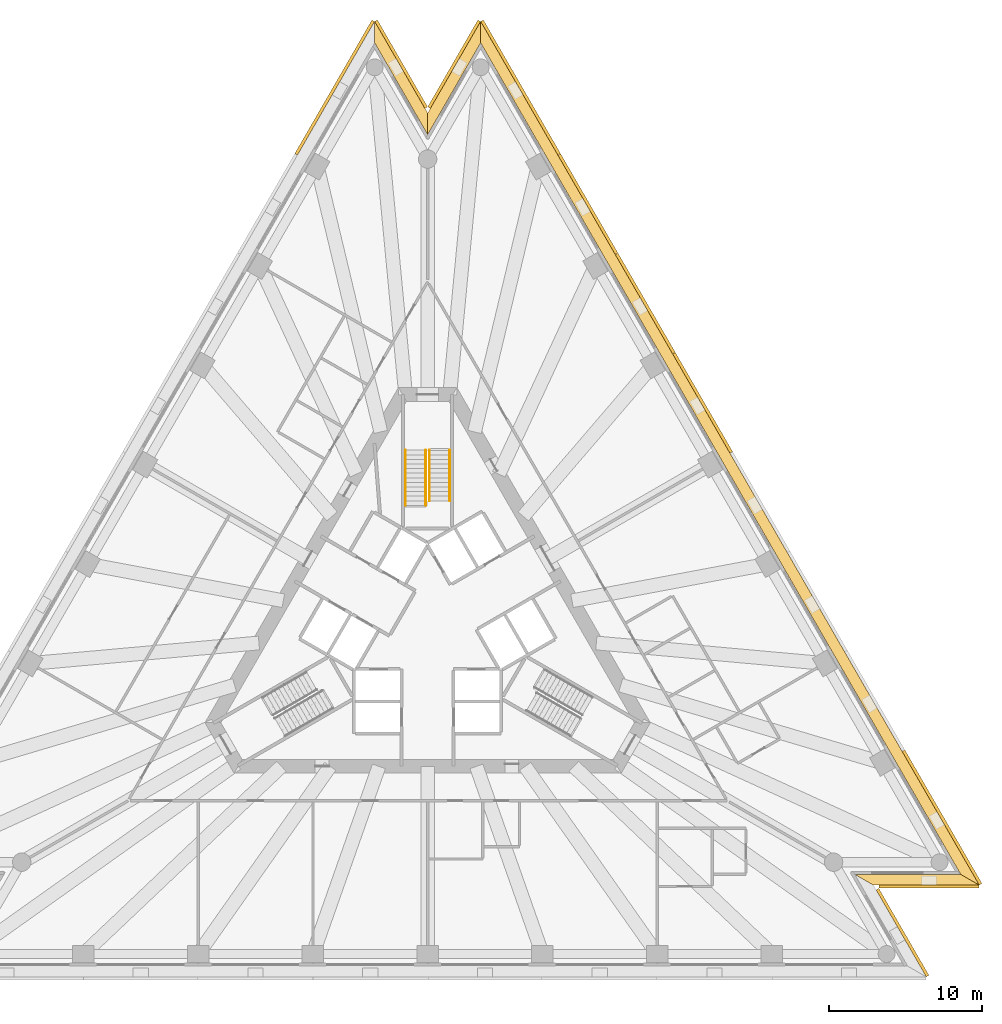
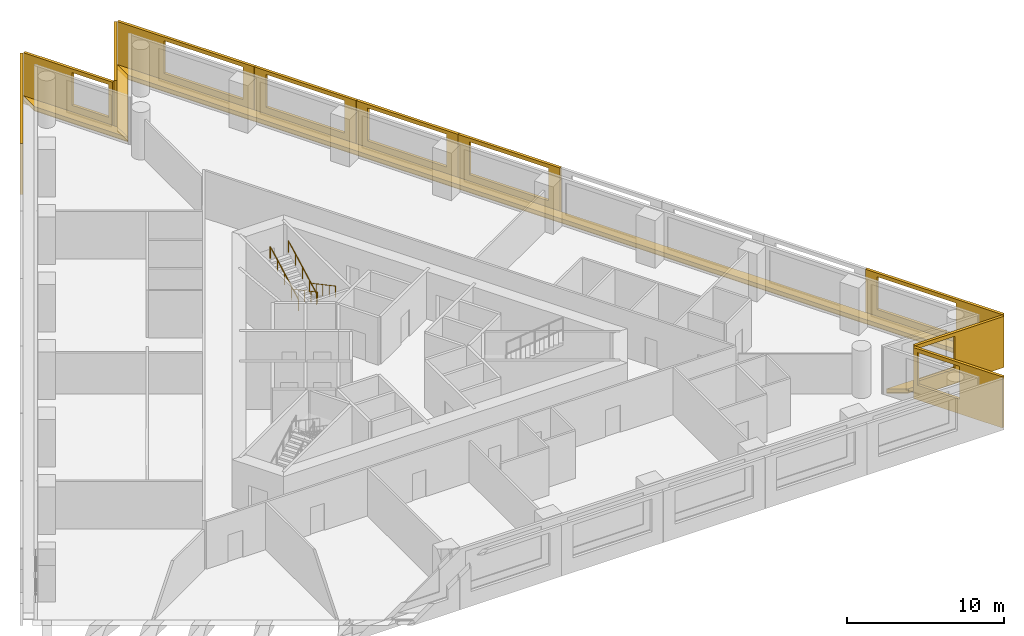
# One storey, part 9 of 9: 14 shading devices, 4 coverings, 4 railings, 1 element without a shape of its own.
"""IFC4 building model written with IfcOpenShell, lengths in metres."""

import ifcopenshell
import ifcopenshell.guid

model = None  # the IFC model being written
_history = None  # IfcOwnerHistory: only IFC2X3 demands one
_inside = {}  # id of a spatial element -> (the spatial element, [elements in it])
_under = {}  # id of a project, library or spatial element -> (it, [spatial elements below it])
_declared = {}  # id of a project -> (the project, [libraries it declares])
_typed = {}  # id of a type object -> (the type object, [elements of that type])
_made_of = {}  # id of a material, layer set ... -> (it, [elements and type objects made of it])


def new_model(schema):
    """Start an empty IFC model of exactly this schema.

    Asked for "IFC4X3", IfcOpenShell would pick the latest addendum, in which some entities
    have other attributes; the version numbers below select the first issue.
    IFC2X3 requires an IfcOwnerHistory on every rooted entity: one is made here for all.
    """
    global model, _history
    if schema == "IFC4X3":
        model = ifcopenshell.file(schema_version=(4, 3, 0, 0))
    else:
        model = ifcopenshell.file(schema=schema)
    _inside.clear()
    _under.clear()
    _declared.clear()
    _typed.clear()
    _made_of.clear()
    _history = None
    if model.schema == "IFC2X3":
        org = make("IfcOrganization", Name="unknown")
        user = make(
            "IfcPersonAndOrganization",
            ThePerson=make("IfcPerson", FamilyName="unknown"),
            TheOrganization=org,
        )
        app = make(
            "IfcApplication",
            ApplicationDeveloper=org,
            Version="unknown",
            ApplicationFullName="unknown",
            ApplicationIdentifier="unknown",
        )
        _history = make(
            "IfcOwnerHistory",
            OwningUser=user,
            OwningApplication=app,
            ChangeAction="ADDED",
            CreationDate=0,
        )
    return model


def make(cls, **values):
    """One entity of the class cls with the attributes given. An attribute that is None is left unset."""
    return model.create_entity(
        cls, **{name: value for name, value in values.items() if value is not None}
    )


def rooted(cls, **values):
    """An entity with a GlobalId (a new one), such as an element, a storey or a relation."""
    return make(cls, GlobalId=ifcopenshell.guid.new(), OwnerHistory=_history, **values)


def si_unit(unit_type, name, prefix=None):
    """IfcSIUnit, for example si_unit("LENGTHUNIT", "METRE", prefix="MILLI")."""
    return make("IfcSIUnit", UnitType=unit_type, Prefix=prefix, Name=name)


def assignment(units):
    """IfcUnitAssignment: the units of a project."""
    return None if units is None else make("IfcUnitAssignment", Units=units)


def point(xyz):
    """IfcCartesianPoint."""
    return None if xyz is None else make("IfcCartesianPoint", Coordinates=xyz)


def direction(xyz):
    """IfcDirection."""
    return None if xyz is None else make("IfcDirection", DirectionRatios=xyz)


def frame(location, z_axis=None, x_axis=None):
    """IfcAxis2Placement3D, a coordinate frame: its origin and axes. An axis left out is left unset."""
    return make(
        "IfcAxis2Placement3D",
        Location=point(location),
        Axis=direction(z_axis),
        RefDirection=direction(x_axis),
    )


def frame_2d(location, x_axis=None):
    """IfcAxis2Placement2D, a coordinate frame in the plane: its origin and x axis."""
    return make(
        "IfcAxis2Placement2D", Location=point(location), RefDirection=direction(x_axis)
    )


def origin():
    """The frame at (0, 0, 0) with its axes left unset."""
    return frame((0.0, 0.0, 0.0))


def origin_2d():
    """The frame at (0, 0) in the plane with its x axis left unset."""
    return frame_2d((0.0, 0.0))


def place(relative_to, where):
    """IfcLocalPlacement: puts the frame where relative to a parent placement (None: the world)."""
    return make(
        "IfcLocalPlacement", PlacementRelTo=relative_to, RelativePlacement=where
    )


def context(
    kind, dimensions, precision=None, world=None, true_north=None, identifier=None
):
    """IfcGeometricRepresentationContext, for example the 3D "Model" context."""
    return make(
        "IfcGeometricRepresentationContext",
        ContextIdentifier=identifier,
        ContextType=kind,
        CoordinateSpaceDimension=dimensions,
        Precision=precision,
        WorldCoordinateSystem=world,
        TrueNorth=true_north,
    )


def subcontext(parent, identifier, kind, view, scale=None):
    """IfcGeometricRepresentationSubContext, for example "Body" below "Model"."""
    return make(
        "IfcGeometricRepresentationSubContext",
        ContextIdentifier=identifier,
        ContextType=kind,
        ParentContext=parent,
        TargetScale=scale,
        TargetView=view,
    )


def project(units=None, contexts=None):
    """IfcProject with its units and contexts."""
    return rooted(
        "IfcProject",
        Name="project",
        RepresentationContexts=contexts,
        UnitsInContext=assignment(units),
    )


def spatial(cls, under=None, at=None, **own):
    """A site, building, storey or space (cls), placed at a placement, below another one or the project."""
    s = rooted(cls, ObjectPlacement=at, **own)
    if under is not None:
        _under.setdefault(under.id(), (under, []))[1].append(s)
    return s


def polyline(points):
    """IfcPolyline through the points."""
    return make("IfcPolyline", Points=[point(p) for p in points])


def profile(cls, at=None, kind="AREA", **sizes):
    """A parametric profile (cls). Its sizes go by their IFC names, for example OverallWidth=200.0."""
    return make(cls, ProfileType=kind, Position=at, **sizes)


def circle(**sizes):
    """IfcCircleProfileDef."""
    return profile("IfcCircleProfileDef", **sizes)


def outline(outer, holes=None, kind="AREA"):
    """IfcArbitraryClosedProfileDef: a profile drawn as a closed curve; with holes, ...WithVoids."""
    if holes is None:
        return make("IfcArbitraryClosedProfileDef", ProfileType=kind, OuterCurve=outer)
    return make(
        "IfcArbitraryProfileDefWithVoids",
        ProfileType=kind,
        OuterCurve=outer,
        InnerCurves=holes,
    )


def extrude(swept, where, along, depth):
    """IfcExtrudedAreaSolid: the profile swept, set in the frame where, extruded along a direction by depth."""
    return make(
        "IfcExtrudedAreaSolid",
        SweptArea=swept,
        Position=where,
        ExtrudedDirection=direction(along),
        Depth=depth,
    )


def shape(context_of_items, identifier, shape_type, items):
    """IfcShapeRepresentation: the items that make up one representation, for example the "Body"."""
    return make(
        "IfcShapeRepresentation",
        ContextOfItems=context_of_items,
        RepresentationIdentifier=identifier,
        RepresentationType=shape_type,
        Items=items,
    )


def material(Name=None, Category=None):
    """IfcMaterial."""
    return make("IfcMaterial", Name=Name, Category=Category)


def layer(
    of_material, thickness, ventilated=None, Name=None, Category=None, Priority=None
):
    """IfcMaterialLayer: one layer of a wall or slab, of a material (None: an air gap)."""
    return make(
        "IfcMaterialLayer",
        Material=of_material,
        LayerThickness=thickness,
        IsVentilated=ventilated,
        Name=Name,
        Category=Category,
        Priority=Priority,
    )


def layer_set(layers, Name=None):
    """IfcMaterialLayerSet."""
    return make("IfcMaterialLayerSet", MaterialLayers=layers, LayerSetName=Name)


def layer_usage(for_layer_set, set_direction, sense, offset, extent=None):
    """IfcMaterialLayerSetUsage: how a layer set lies in its element."""
    return make(
        "IfcMaterialLayerSetUsage",
        ForLayerSet=for_layer_set,
        LayerSetDirection=set_direction,
        DirectionSense=sense,
        OffsetFromReferenceLine=offset,
        ReferenceExtent=extent,
    )


def made_of(thing, what):
    """Note that an element or type object is made of a material, layer set ...; save() writes the relation."""
    if what is not None:
        _made_of.setdefault(what.id(), (what, []))[1].append(thing)
    return thing


def type_object(cls, material=None, **own):
    """A type object (cls), such as IfcWallType, which elements share."""
    return made_of(rooted(cls, **own), material)


def element(
    cls,
    number,
    at=None,
    inside=None,
    cuts=None,
    type_object=None,
    material=None,
    context=None,
    identifier="Body",
    shape_type=None,
    held_by="IfcProductDefinitionShape",
    body=None,
    shapes=None,
    **own,
):
    """One element of the class cls, such as IfcWall. Its Tag is "e" and its number.

    at: its placement. inside: the storey or other place that contains it. cuts: it is an
    opening in that element (IfcRelVoidsElement). A single representation is given by context,
    identifier, shape_type and body (its items); several are given by shapes. held_by: the class
    of the entity that holds the representations. save() writes the other relations.
    """
    e = rooted(cls, Tag="e%d" % number, ObjectPlacement=at, **own)
    if body is not None:
        shapes = [shape(context, identifier, shape_type, body)]
    if shapes is not None:
        e.Representation = make(held_by, Representations=shapes)
    if inside is not None:
        _inside.setdefault(inside.id(), (inside, []))[1].append(e)
    if cuts is not None:
        rooted(
            "IfcRelVoidsElement", RelatingBuildingElement=cuts, RelatedOpeningElement=e
        )
    if type_object is not None:
        _typed.setdefault(type_object.id(), (type_object, []))[1].append(e)
    return made_of(e, material)


def aggregate(whole, parts):
    """IfcRelAggregates: a whole, such as a stair, and the parts it consists of."""
    return rooted("IfcRelAggregates", RelatingObject=whole, RelatedObjects=parts)


def save(model, path):
    """Write the relations noted so far, then the file.

    IfcRelAggregates (storeys below a building ...), IfcRelContainedInSpatialStructure (elements
    in a storey), IfcRelDefinesByType, IfcRelAssociatesMaterial and IfcRelDeclares: one each for
    every whole, place, type object, material and project.
    """
    for whole, parts in _under.values():
        aggregate(whole, parts)
    for where, things in _inside.values():
        rooted(
            "IfcRelContainedInSpatialStructure",
            RelatedElements=things,
            RelatingStructure=where,
        )
    for kind, things in _typed.values():
        rooted("IfcRelDefinesByType", RelatedObjects=things, RelatingType=kind)
    for what, things in _made_of.values():
        rooted("IfcRelAssociatesMaterial", RelatedObjects=things, RelatingMaterial=what)
    for by, libraries in _declared.values():
        rooted("IfcRelDeclares", RelatingContext=by, RelatedDefinitions=libraries)
    model.write(path)


model = new_model("IFC4")

# Units and contexts
model_context = context("Model", 3, precision=1e-05, world=origin(), true_north=direction((0.0, 1.0)))
body_context = subcontext(model_context, "Body", "Model", "MODEL_VIEW")
ifc_project = project(units=[si_unit("LENGTHUNIT", "METRE"), si_unit("AREAUNIT", "SQUARE_METRE"), si_unit("VOLUMEUNIT", "CUBIC_METRE"), si_unit("PLANEANGLEUNIT", "RADIAN"), si_unit("MASSUNIT", "GRAM", prefix="KILO")], contexts=[model_context])

# Site, building, storey
site_placement = place(None, origin())
site = spatial("IfcSite", under=ifc_project, at=site_placement, CompositionType="ELEMENT")
building_placement = place(site_placement, origin())
building = spatial("IfcBuilding", under=site, at=building_placement, Name="Triada Interchange Tower", CompositionType="ELEMENT")
storey_placement = place(building_placement, frame((0.0, 0.0, 51.300048828125)))
storey = spatial("IfcBuildingStorey", under=building, at=storey_placement, Name="L10", CompositionType="ELEMENT", Elevation=51.300048828125)

# Coverings
ifc_material_1 = material(Name="Mineral fire-stop board")
ifc_layer_1 = layer(ifc_material_1, 0.0400390625, Name="Mineral fire-stop board")
ifc_material_2 = material(Name="Intumescent sealant")
ifc_layer_2 = layer(ifc_material_2, 0.010009765625, Name="Intumescent seal")
ifc_layer_set_1 = layer_set([ifc_layer_1, ifc_layer_2], Name="Cavity fire stop")
ifc_layer_usage = layer_usage(ifc_layer_set_1, "AXIS3", "POSITIVE", 0.0)
covering_type = type_object("IfcCoveringType", Name="Cavity fire stop", PredefinedType="INSULATION", material=ifc_layer_set_1)
covering_1_placement = place(storey_placement, origin())
element("IfcCovering", 1, at=covering_1_placement, inside=storey, type_object=covering_type, material=ifc_layer_usage, Name="Cavity fire stop L10 SE-2", PredefinedType="INSULATION", context=body_context, shape_type="SweptSolid", body=[
    extrude(outline(polyline([(27.905029296875, -16.111083984375), (29.116943359375, -16.81103515625), (36.041015625, -16.81103515625), (34.8291015625, -16.111083984375), (27.905029296875, -16.111083984375)])), origin(), (0.0, 0.0, 1.0), 0.050048828125),
])
covering_2_placement = place(storey_placement, origin())
element("IfcCovering", 2, at=covering_2_placement, inside=storey, type_object=covering_type, material=ifc_layer_usage, Name="Cavity fire stop L10 NE", PredefinedType="INSULATION", context=body_context, shape_type="SweptSolid", body=[
    extrude(outline(polyline([(34.8291015625, -16.111083984375), (36.041015625, -16.81103515625), (3.4619140625, 39.617919921875), (3.4619140625, 38.218017578125), (34.8291015625, -16.111083984375)])), origin(), (0.0, 0.0, 1.0), 0.050048828125),
])
covering_3_placement = place(storey_placement, origin())
element("IfcCovering", 3, at=covering_3_placement, inside=storey, type_object=covering_type, material=ifc_layer_usage, Name="Cavity fire stop L10 N-1", PredefinedType="INSULATION", context=body_context, shape_type="SweptSolid", body=[
    extrude(outline(polyline([(3.4619140625, 38.218017578125), (3.4619140625, 39.617919921875), (0.0, 33.6220703125), (0.0, 32.221923828125), (3.4619140625, 38.218017578125)])), origin(), (0.0, 0.0, 1.0), 0.050048828125),
])
covering_4_placement = place(storey_placement, origin())
element("IfcCovering", 4, at=covering_4_placement, inside=storey, type_object=covering_type, material=ifc_layer_usage, Name="Cavity fire stop L10 N-2", PredefinedType="INSULATION", context=body_context, shape_type="SweptSolid", body=[
    extrude(outline(polyline([(0.0, 32.221923828125), (0.0, 33.6220703125), (-3.4619140625, 39.617919921875), (-3.4619140625, 38.218017578125), (0.0, 32.221923828125)])), origin(), (0.0, 0.0, 1.0), 0.050048828125),
])

# Shading devices
ifc_material_3 = material(Name="Aluminium louvre", Category="aluminium")
shading_device_type_1 = type_object("IfcShadingDeviceType", Name="Cavity louvre grille", PredefinedType="JALOUSIE", material=ifc_material_3)
shading_device_1_placement = place(storey_placement, frame((0.0, 0.0, 0.050048828125)))
element("IfcShadingDevice", 5, at=shading_device_1_placement, inside=storey, type_object=shading_device_type_1, Name="Cavity louvre grille L10 SE-2", PredefinedType="JALOUSIE", context=body_context, shape_type="SweptSolid", body=[
    extrude(outline(polyline([(27.905029296875, -16.111083984375), (29.116943359375, -16.81103515625), (36.041015625, -16.81103515625), (34.8291015625, -16.111083984375), (27.905029296875, -16.111083984375)])), origin(), (0.0, 0.0, 1.0), 0.2998046875),
])
shading_device_2_placement = place(storey_placement, frame((0.0, 0.0, 0.050048828125)))
element("IfcShadingDevice", 6, at=shading_device_2_placement, inside=storey, type_object=shading_device_type_1, Name="Cavity louvre grille L10 NE", PredefinedType="JALOUSIE", context=body_context, shape_type="SweptSolid", body=[
    extrude(outline(polyline([(34.8291015625, -16.111083984375), (36.041015625, -16.81103515625), (3.4619140625, 39.617919921875), (3.4619140625, 38.218017578125), (34.8291015625, -16.111083984375)])), origin(), (0.0, 0.0, 1.0), 0.2998046875),
])
shading_device_3_placement = place(storey_placement, frame((0.0, 0.0, 0.050048828125)))
element("IfcShadingDevice", 7, at=shading_device_3_placement, inside=storey, type_object=shading_device_type_1, Name="Cavity louvre grille L10 N-1", PredefinedType="JALOUSIE", context=body_context, shape_type="SweptSolid", body=[
    extrude(outline(polyline([(3.4619140625, 38.218017578125), (3.4619140625, 39.617919921875), (0.0, 33.6220703125), (0.0, 32.221923828125), (3.4619140625, 38.218017578125)])), origin(), (0.0, 0.0, 1.0), 0.2998046875),
])
shading_device_4_placement = place(storey_placement, frame((0.0, 0.0, 0.050048828125)))
element("IfcShadingDevice", 8, at=shading_device_4_placement, inside=storey, type_object=shading_device_type_1, Name="Cavity louvre grille L10 N-2", PredefinedType="JALOUSIE", context=body_context, shape_type="SweptSolid", body=[
    extrude(outline(polyline([(0.0, 32.221923828125), (0.0, 33.6220703125), (-3.4619140625, 39.617919921875), (-3.4619140625, 38.218017578125), (0.0, 32.221923828125)])), origin(), (0.0, 0.0, 1.0), 0.2998046875),
])
ifc_material_4 = material(Name="Concrete C50/60 precast", Category="concrete")
ifc_layer_3 = layer(ifc_material_4, 0.02001953125, Name="Exposed aggregate face")
ifc_layer_4 = layer(ifc_material_4, 0.179931640625, Name="Precast concrete screen")
ifc_layer_set_2 = layer_set([ifc_layer_3, ifc_layer_4], Name="Outer skin screen panel 3980")
shading_device_type_2 = type_object("IfcShadingDeviceType", Name="Outer skin screen panel 3980", PredefinedType="SHUTTER", material=ifc_layer_set_2)
shading_device_5_placement = place(storey_placement, frame((-3.467041015625, 39.60888671875, -0.2900390625), z_axis=(0.0, 0.0, 1.0), x_axis=(-0.500051848164, -0.865995467164, 0.0)))
element("IfcShadingDevice", 9, at=shading_device_5_placement, inside=storey, type_object=shading_device_type_2, Name="Outer skin screen panel L10 01", PredefinedType="SHUTTER", context=body_context, shape_type="SweptSolid", body=[
    extrude(outline(polyline([(0.0, 0.0), (10.07275390625, 0.0), (10.07275390625, 3.97998046875), (0.0, 3.97998046875), (0.0, 0.0)]), holes=[polyline([(3.435546875, 1.139892578125), (3.435546875, 3.68994140625), (9.235595703125, 3.68994140625), (9.235595703125, 1.139892578125), (3.435546875, 1.139892578125)])]), frame((0.0, 0.0, 0.0), z_axis=(0.0, -1.0, 0.0), x_axis=(1.0, 0.0, 0.0)), (0.0, 0.0, 1.0), 0.199951171875),
])
shading_device_6_placement = place(storey_placement, frame((32.573974609375, -22.798095703125, -0.2900390625), z_axis=(0.0, 0.0, 1.0), x_axis=(-0.499987845338, 0.866032421168, 0.0)))
element("IfcShadingDevice", 10, at=shading_device_6_placement, inside=storey, type_object=shading_device_type_2, Name="Outer skin screen panel L10 19", PredefinedType="SHUTTER", context=body_context, shape_type="SweptSolid", body=[
    extrude(outline(polyline([(0.0, 0.0), (6.556396484375, 0.0), (6.556396484375, 3.97998046875), (0.0, 3.97998046875), (0.0, 0.0)]), holes=[polyline([(3.17529296875, 1.139892578125), (3.17529296875, 3.68994140625), (6.257080078125, 3.68994140625), (6.257080078125, 1.139892578125), (3.17529296875, 1.139892578125)])]), frame((0.0, 0.0, 0.0), z_axis=(0.0, -1.0, 0.0), x_axis=(1.0, 0.0, 0.0)), (0.0, 0.0, 1.0), 0.199951171875),
])
shading_device_7_placement = place(storey_placement, frame((29.47412109375, -16.81103515625, -0.2900390625), z_axis=(0.0, 0.0, 1.0), x_axis=(1.0, 0.0, 0.0)))
element("IfcShadingDevice", 11, at=shading_device_7_placement, inside=storey, type_object=shading_device_type_2, Name="Outer skin screen panel L10 20", PredefinedType="SHUTTER", context=body_context, shape_type="SweptSolid", body=[
    extrude(outline(polyline([(0.0, 0.0), (6.556884765625, 0.0), (6.556884765625, 3.97998046875), (0.0, 3.97998046875), (0.0, 0.0)]), holes=[polyline([(0.300048828125, 1.139892578125), (0.300048828125, 3.68994140625), (2.9580078125, 3.68994140625), (2.9580078125, 1.139892578125), (0.300048828125, 1.139892578125)])]), frame((0.0, 0.0, 0.0), z_axis=(0.0, -1.0, 0.0), x_axis=(1.0, 0.0, 0.0)), (0.0, 0.0, 1.0), 0.199951171875),
])
shading_device_8_placement = place(storey_placement, frame((36.035888671875, -16.802001953125, -0.2900390625), z_axis=(0.0, 0.0, 1.0), x_axis=(-0.499926661183, 0.86606774183, 0.0)))
element("IfcShadingDevice", 12, at=shading_device_8_placement, inside=storey, type_object=shading_device_type_2, Name="Outer skin screen panel L10 21", PredefinedType="SHUTTER", context=body_context, shape_type="SweptSolid", body=[
    extrude(outline(polyline([(0.0, 0.0), (10.0732421875, 0.0), (10.0732421875, 3.97998046875), (0.0, 3.97998046875), (0.0, 0.0)]), holes=[polyline([(3.435302734375, 1.139892578125), (3.435302734375, 3.68994140625), (9.2353515625, 3.68994140625), (9.2353515625, 1.139892578125), (3.435302734375, 1.139892578125)])]), frame((0.0, 0.0, 0.0), z_axis=(0.0, -1.0, 0.0), x_axis=(1.0, 0.0, 0.0)), (0.0, 0.0, 1.0), 0.199951171875),
])
shading_device_9_placement = place(storey_placement, frame((19.7470703125, 11.412109375, -0.2900390625), z_axis=(0.0, 0.0, 1.0), x_axis=(-0.50003436236, 0.866005563758, 0.0)))
element("IfcShadingDevice", 13, at=shading_device_9_placement, inside=storey, type_object=shading_device_type_2, Name="Outer skin screen panel L10 25", PredefinedType="SHUTTER", context=body_context, shape_type="SweptSolid", body=[
    extrude(outline(polyline([(0.0, 0.0), (7.4755859375, 0.0), (7.4755859375, 3.97998046875), (0.0, 3.97998046875), (0.0, 0.0)]), holes=[polyline([(0.838134765625, 1.139892578125), (0.838134765625, 3.68994140625), (6.63818359375, 3.68994140625), (6.63818359375, 1.139892578125), (0.838134765625, 1.139892578125)])]), frame((0.0, 0.0, 0.0), z_axis=(0.0, -1.0, 0.0), x_axis=(1.0, 0.0, 0.0)), (0.0, 0.0, 1.0), 0.199951171875),
])
shading_device_10_placement = place(storey_placement, frame((15.9990234375, 17.903076171875, -0.2900390625), z_axis=(0.0, 0.0, 1.0), x_axis=(-0.50003436236, 0.866005563758, 0.0)))
element("IfcShadingDevice", 14, at=shading_device_10_placement, inside=storey, type_object=shading_device_type_2, Name="Outer skin screen panel L10 26", PredefinedType="SHUTTER", context=body_context, shape_type="SweptSolid", body=[
    extrude(outline(polyline([(0.0, 0.0), (7.4755859375, 0.0), (7.4755859375, 3.97998046875), (0.0, 3.97998046875), (0.0, 0.0)]), holes=[polyline([(0.837890625, 1.139892578125), (0.837890625, 3.68994140625), (6.6376953125, 3.68994140625), (6.6376953125, 1.139892578125), (0.837890625, 1.139892578125)])]), frame((0.0, 0.0, 0.0), z_axis=(0.0, -1.0, 0.0), x_axis=(1.0, 0.0, 0.0)), (0.0, 0.0, 1.0), 0.199951171875),
])
shading_device_11_placement = place(storey_placement, frame((12.2509765625, 24.39404296875, -0.2900390625), z_axis=(0.0, 0.0, 1.0), x_axis=(-0.499936381736, 0.866062130691, 0.0)))
element("IfcShadingDevice", 15, at=shading_device_11_placement, inside=storey, type_object=shading_device_type_2, Name="Outer skin screen panel L10 27", PredefinedType="SHUTTER", context=body_context, shape_type="SweptSolid", body=[
    extrude(outline(polyline([(0.0, 0.0), (7.47509765625, 0.0), (7.47509765625, 3.97998046875), (0.0, 3.97998046875), (0.0, 0.0)]), holes=[polyline([(0.83740234375, 1.139892578125), (0.83740234375, 3.68994140625), (6.637451171875, 3.68994140625), (6.637451171875, 1.139892578125), (0.83740234375, 1.139892578125)])]), frame((0.0, 0.0, 0.0), z_axis=(0.0, -1.0, 0.0), x_axis=(1.0, 0.0, 0.0)), (0.0, 0.0, 1.0), 0.199951171875),
])
shading_device_12_placement = place(storey_placement, frame((8.50390625, 30.885986328125, -0.2900390625), z_axis=(0.0, 0.0, 1.0), x_axis=(-0.500051848164, 0.865995467164, 0.0)))
element("IfcShadingDevice", 16, at=shading_device_12_placement, inside=storey, type_object=shading_device_type_2, Name="Outer skin screen panel L10 28", PredefinedType="SHUTTER", context=body_context, shape_type="SweptSolid", body=[
    extrude(outline(polyline([(0.0, 0.0), (10.07275390625, 0.0), (10.07275390625, 3.97998046875), (0.0, 3.97998046875), (0.0, 0.0)]), holes=[polyline([(0.837158203125, 1.139892578125), (0.837158203125, 3.68994140625), (6.63720703125, 3.68994140625), (6.63720703125, 1.139892578125), (0.837158203125, 1.139892578125)])]), frame((0.0, 0.0, 0.0), z_axis=(0.0, -1.0, 0.0), x_axis=(1.0, 0.0, 0.0)), (0.0, 0.0, 1.0), 0.199951171875),
])
shading_device_13_placement = place(storey_placement, frame((3.45703125, 39.60888671875, -0.2900390625), z_axis=(0.0, 0.0, 1.0), x_axis=(-0.500099547154, -0.865967922579, 0.0)))
element("IfcShadingDevice", 17, at=shading_device_13_placement, inside=storey, type_object=shading_device_type_2, Name="Outer skin screen panel L10 29", PredefinedType="SHUTTER", context=body_context, shape_type="SweptSolid", body=[
    extrude(outline(polyline([(0.0, 0.0), (6.556884765625, 0.0), (6.556884765625, 3.97998046875), (0.0, 3.97998046875), (0.0, 0.0)]), holes=[polyline([(3.175537109375, 1.139892578125), (3.175537109375, 3.68994140625), (6.25732421875, 3.68994140625), (6.25732421875, 1.139892578125), (3.175537109375, 1.139892578125)])]), frame((0.0, 0.0, 0.0), z_axis=(0.0, -1.0, 0.0), x_axis=(1.0, 0.0, 0.0)), (0.0, 0.0, 1.0), 0.199951171875),
])
shading_device_14_placement = place(storey_placement, frame((-0.177978515625, 33.930908203125, -0.2900390625), z_axis=(0.0, 0.0, 1.0), x_axis=(-0.500099547154, 0.865967922579, 0.0)))
element("IfcShadingDevice", 18, at=shading_device_14_placement, inside=storey, type_object=shading_device_type_2, Name="Outer skin screen panel L10 30", PredefinedType="SHUTTER", context=body_context, shape_type="SweptSolid", body=[
    extrude(outline(polyline([(0.0, 0.0), (6.556884765625, 0.0), (6.556884765625, 3.97998046875), (0.0, 3.97998046875), (0.0, 0.0)]), holes=[polyline([(0.300048828125, 1.139892578125), (0.300048828125, 3.68994140625), (2.9580078125, 3.68994140625), (2.9580078125, 1.139892578125), (0.300048828125, 1.139892578125)])]), frame((0.0, 0.0, 0.0), z_axis=(0.0, -1.0, 0.0), x_axis=(1.0, 0.0, 0.0)), (0.0, 0.0, 1.0), 0.199951171875),
])

# Stair, railings
ifc_material_5 = material(Name="Concrete C35/45", Category="concrete")
stair_type = type_object("IfcStairType", Name="HALF TURN STAIR 1400", PredefinedType="HALF_TURN_STAIR", material=ifc_material_5)
stair_placement = place(storey_placement, origin())
stair = element("IfcStair", 19, at=stair_placement, inside=storey, type_object=stair_type, Name="Exit stair S09-1", PredefinedType="HALF_TURN_STAIR")
ifc_material_6 = material(Name="Stainless steel 1.4301", Category="steel")
railing_type = type_object("IfcRailingType", Name="STAIR HANDRAIL 900", PredefinedType="HANDRAIL", material=ifc_material_6)
railing_1_placement = place(storey_placement, frame((1.449951171875, 11.60009765625, 0.159912109375)))
railing_1 = element("IfcRailing", 20, at=railing_1_placement, type_object=railing_type, Name="Handrail S09-1 1W", PredefinedType="HANDRAIL", context=body_context, shape_type="SweptSolid", body=[
    extrude(circle(Radius=0.02392578125, at=origin_2d()), frame((0.0, 0.0, 0.8759765625), z_axis=(0.0, -0.882354748157, 0.47058484719), x_axis=(1.0, 0.0, 0.0)), (0.0, 0.0, 1.0), 3.739990234375),
    extrude(circle(Radius=0.02099609375, at=origin_2d()), origin(), (0.0, 0.0, 1.0), 0.851806640625),
    extrude(circle(Radius=0.02099609375, at=origin_2d()), frame((0.0, -0.824951171875, 0.43994140625)), (0.0, 0.0, 1.0), 0.851806640625),
    extrude(circle(Radius=0.02099609375, at=origin_2d()), frame((0.0, -1.64990234375, 0.8798828125)), (0.0, 0.0, 1.0), 0.851806640625),
    extrude(circle(Radius=0.02099609375, at=origin_2d()), frame((0.0, -2.47509765625, 1.320068359375)), (0.0, 0.0, 1.0), 0.851806640625),
    extrude(circle(Radius=0.02099609375, at=origin_2d()), frame((0.0, -3.300048828125, 1.760009765625)), (0.0, 0.0, 1.0), 0.851806640625),
])
railing_2_placement = place(storey_placement, frame((0.1201171875, 11.60009765625, 0.159912109375)))
railing_2 = element("IfcRailing", 21, at=railing_2_placement, type_object=railing_type, Name="Handrail S09-1 1C", PredefinedType="HANDRAIL", context=body_context, shape_type="SweptSolid", body=[
    extrude(circle(Radius=0.02392578125, at=origin_2d()), frame((0.0, 0.0, 0.8759765625), z_axis=(0.0, -0.882354748157, 0.47058484719), x_axis=(1.0, 0.0, 0.0)), (0.0, 0.0, 1.0), 3.739990234375),
    extrude(circle(Radius=0.02099609375, at=origin_2d()), origin(), (0.0, 0.0, 1.0), 0.851806640625),
    extrude(circle(Radius=0.02099609375, at=origin_2d()), frame((0.0, -0.824951171875, 0.43994140625)), (0.0, 0.0, 1.0), 0.851806640625),
    extrude(circle(Radius=0.02099609375, at=origin_2d()), frame((0.0, -1.64990234375, 0.8798828125)), (0.0, 0.0, 1.0), 0.851806640625),
    extrude(circle(Radius=0.02099609375, at=origin_2d()), frame((0.0, -2.47509765625, 1.320068359375)), (0.0, 0.0, 1.0), 0.851806640625),
    extrude(circle(Radius=0.02099609375, at=origin_2d()), frame((0.0, -3.300048828125, 1.760009765625)), (0.0, 0.0, 1.0), 0.851806640625),
])
railing_3_placement = place(storey_placement, frame((-1.449951171875, 8.0, 2.079833984375)))
railing_3 = element("IfcRailing", 22, at=railing_3_placement, type_object=railing_type, Name="Handrail S09-1 2W", PredefinedType="HANDRAIL", context=body_context, shape_type="SweptSolid", body=[
    extrude(circle(Radius=0.02392578125, at=origin_2d()), frame((0.0, 0.0, 0.8759765625), z_axis=(0.0, 0.882341346394, 0.470609974867), x_axis=(-1.0, 0.0, 0.0)), (0.0, 0.0, 1.0), 4.080078125),
    extrude(circle(Radius=0.02099609375, at=origin_2d()), origin(), (0.0, 0.0, 1.0), 0.851806640625),
    extrude(circle(Radius=0.02099609375, at=origin_2d()), frame((0.0, 0.89990234375, 0.47998046875)), (0.0, 0.0, 1.0), 0.851806640625),
    extrude(circle(Radius=0.02099609375, at=origin_2d()), frame((0.0, 1.800048828125, 0.9599609375)), (0.0, 0.0, 1.0), 0.851806640625),
    extrude(circle(Radius=0.02099609375, at=origin_2d()), frame((0.0, 2.7001953125, 1.440185546875)), (0.0, 0.0, 1.0), 0.851806640625),
    extrude(circle(Radius=0.02099609375, at=origin_2d()), frame((0.0, 3.60009765625, 1.920166015625)), (0.0, 0.0, 1.0), 0.851806640625),
])
railing_4_placement = place(storey_placement, frame((-0.1201171875, 8.0, 2.079833984375)))
railing_4 = element("IfcRailing", 23, at=railing_4_placement, type_object=railing_type, Name="Handrail S09-1 2C", PredefinedType="HANDRAIL", context=body_context, shape_type="SweptSolid", body=[
    extrude(circle(Radius=0.02392578125, at=origin_2d()), frame((0.0, 0.0, 0.8759765625), z_axis=(0.0, 0.882341346394, 0.470609974867), x_axis=(-1.0, 0.0, 0.0)), (0.0, 0.0, 1.0), 4.080078125),
    extrude(circle(Radius=0.02099609375, at=origin_2d()), origin(), (0.0, 0.0, 1.0), 0.851806640625),
    extrude(circle(Radius=0.02099609375, at=origin_2d()), frame((0.0, 0.89990234375, 0.47998046875)), (0.0, 0.0, 1.0), 0.851806640625),
    extrude(circle(Radius=0.02099609375, at=origin_2d()), frame((0.0, 1.800048828125, 0.9599609375)), (0.0, 0.0, 1.0), 0.851806640625),
    extrude(circle(Radius=0.02099609375, at=origin_2d()), frame((0.0, 2.7001953125, 1.440185546875)), (0.0, 0.0, 1.0), 0.851806640625),
    extrude(circle(Radius=0.02099609375, at=origin_2d()), frame((0.0, 3.60009765625, 1.920166015625)), (0.0, 0.0, 1.0), 0.851806640625),
])
aggregate(stair, [railing_1, railing_2, railing_3, railing_4])

save(model, "model.ifc")
